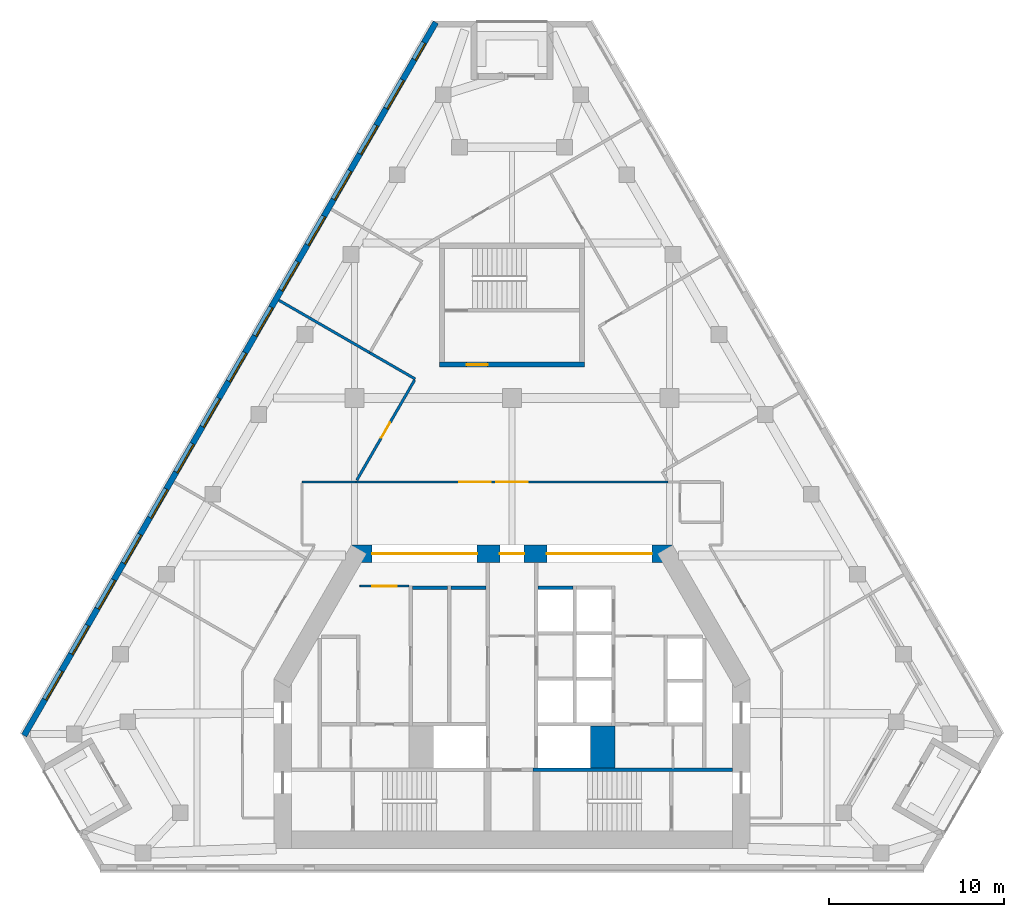
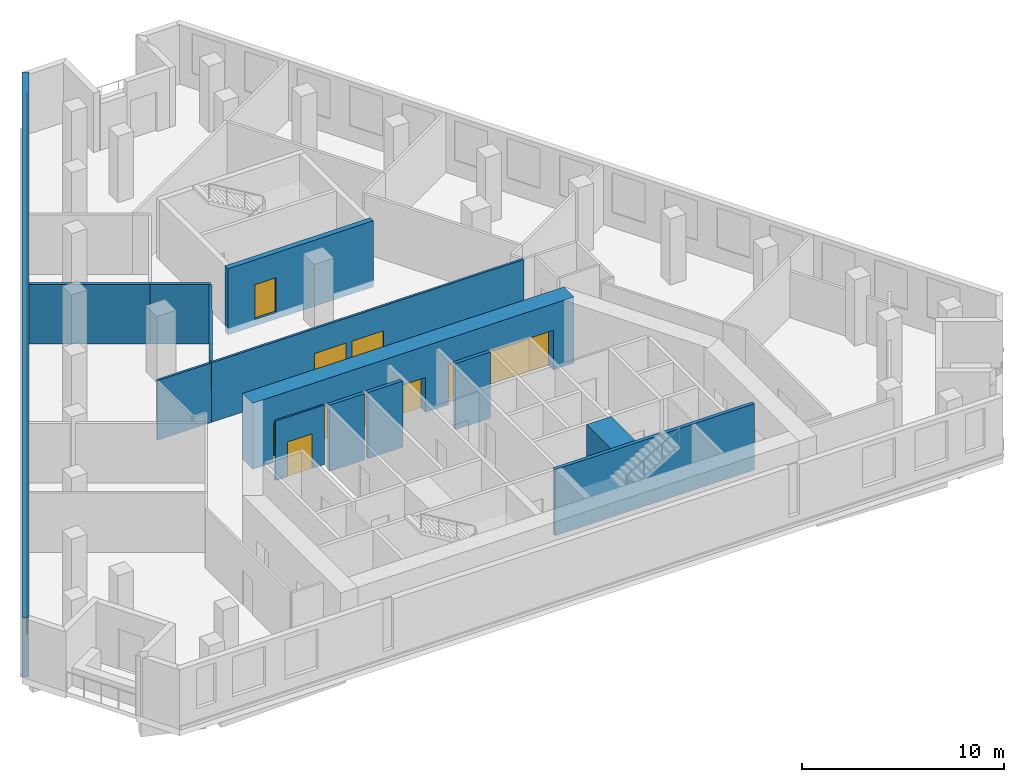
# One storey, part 5 of 9: 15 windows, 14 walls, 8 doors, 23 openings.
"""IFC4 building model written with IfcOpenShell, lengths in metres."""

import ifcopenshell
import ifcopenshell.guid

model = None  # the IFC model being written
_history = None  # IfcOwnerHistory: only IFC2X3 demands one
_inside = {}  # id of a spatial element -> (the spatial element, [elements in it])
_under = {}  # id of a project, library or spatial element -> (it, [spatial elements below it])
_declared = {}  # id of a project -> (the project, [libraries it declares])
_typed = {}  # id of a type object -> (the type object, [elements of that type])
_made_of = {}  # id of a material, layer set ... -> (it, [elements and type objects made of it])


def new_model(schema):
    """Start an empty IFC model of exactly this schema.

    Asked for "IFC4X3", IfcOpenShell would pick the latest addendum, in which some entities
    have other attributes; the version numbers below select the first issue.
    IFC2X3 requires an IfcOwnerHistory on every rooted entity: one is made here for all.
    """
    global model, _history
    if schema == "IFC4X3":
        model = ifcopenshell.file(schema_version=(4, 3, 0, 0))
    else:
        model = ifcopenshell.file(schema=schema)
    _inside.clear()
    _under.clear()
    _declared.clear()
    _typed.clear()
    _made_of.clear()
    _history = None
    if model.schema == "IFC2X3":
        org = make("IfcOrganization", Name="unknown")
        user = make(
            "IfcPersonAndOrganization",
            ThePerson=make("IfcPerson", FamilyName="unknown"),
            TheOrganization=org,
        )
        app = make(
            "IfcApplication",
            ApplicationDeveloper=org,
            Version="unknown",
            ApplicationFullName="unknown",
            ApplicationIdentifier="unknown",
        )
        _history = make(
            "IfcOwnerHistory",
            OwningUser=user,
            OwningApplication=app,
            ChangeAction="ADDED",
            CreationDate=0,
        )
    return model


def make(cls, **values):
    """One entity of the class cls with the attributes given. An attribute that is None is left unset."""
    return model.create_entity(
        cls, **{name: value for name, value in values.items() if value is not None}
    )


def rooted(cls, **values):
    """An entity with a GlobalId (a new one), such as an element, a storey or a relation."""
    return make(cls, GlobalId=ifcopenshell.guid.new(), OwnerHistory=_history, **values)


def si_unit(unit_type, name, prefix=None):
    """IfcSIUnit, for example si_unit("LENGTHUNIT", "METRE", prefix="MILLI")."""
    return make("IfcSIUnit", UnitType=unit_type, Prefix=prefix, Name=name)


def assignment(units):
    """IfcUnitAssignment: the units of a project."""
    return None if units is None else make("IfcUnitAssignment", Units=units)


def point(xyz):
    """IfcCartesianPoint."""
    return None if xyz is None else make("IfcCartesianPoint", Coordinates=xyz)


def direction(xyz):
    """IfcDirection."""
    return None if xyz is None else make("IfcDirection", DirectionRatios=xyz)


def frame(location, z_axis=None, x_axis=None):
    """IfcAxis2Placement3D, a coordinate frame: its origin and axes. An axis left out is left unset."""
    return make(
        "IfcAxis2Placement3D",
        Location=point(location),
        Axis=direction(z_axis),
        RefDirection=direction(x_axis),
    )


def frame_2d(location, x_axis=None):
    """IfcAxis2Placement2D, a coordinate frame in the plane: its origin and x axis."""
    return make(
        "IfcAxis2Placement2D", Location=point(location), RefDirection=direction(x_axis)
    )


def origin():
    """The frame at (0, 0, 0) with its axes left unset."""
    return frame((0.0, 0.0, 0.0))


def place(relative_to, where):
    """IfcLocalPlacement: puts the frame where relative to a parent placement (None: the world)."""
    return make(
        "IfcLocalPlacement", PlacementRelTo=relative_to, RelativePlacement=where
    )


def context(
    kind, dimensions, precision=None, world=None, true_north=None, identifier=None
):
    """IfcGeometricRepresentationContext, for example the 3D "Model" context."""
    return make(
        "IfcGeometricRepresentationContext",
        ContextIdentifier=identifier,
        ContextType=kind,
        CoordinateSpaceDimension=dimensions,
        Precision=precision,
        WorldCoordinateSystem=world,
        TrueNorth=true_north,
    )


def subcontext(parent, identifier, kind, view, scale=None):
    """IfcGeometricRepresentationSubContext, for example "Body" below "Model"."""
    return make(
        "IfcGeometricRepresentationSubContext",
        ContextIdentifier=identifier,
        ContextType=kind,
        ParentContext=parent,
        TargetScale=scale,
        TargetView=view,
    )


def project(units=None, contexts=None):
    """IfcProject with its units and contexts."""
    return rooted(
        "IfcProject",
        Name="project",
        RepresentationContexts=contexts,
        UnitsInContext=assignment(units),
    )


def spatial(cls, under=None, at=None, **own):
    """A site, building, storey or space (cls), placed at a placement, below another one or the project."""
    s = rooted(cls, ObjectPlacement=at, **own)
    if under is not None:
        _under.setdefault(under.id(), (under, []))[1].append(s)
    return s


def profile(cls, at=None, kind="AREA", **sizes):
    """A parametric profile (cls). Its sizes go by their IFC names, for example OverallWidth=200.0."""
    return make(cls, ProfileType=kind, Position=at, **sizes)


def rectangle(**sizes):
    """IfcRectangleProfileDef."""
    return profile("IfcRectangleProfileDef", **sizes)


def extrude(swept, where, along, depth):
    """IfcExtrudedAreaSolid: the profile swept, set in the frame where, extruded along a direction by depth."""
    return make(
        "IfcExtrudedAreaSolid",
        SweptArea=swept,
        Position=where,
        ExtrudedDirection=direction(along),
        Depth=depth,
    )


def shape(context_of_items, identifier, shape_type, items):
    """IfcShapeRepresentation: the items that make up one representation, for example the "Body"."""
    return make(
        "IfcShapeRepresentation",
        ContextOfItems=context_of_items,
        RepresentationIdentifier=identifier,
        RepresentationType=shape_type,
        Items=items,
    )


def material(Name=None, Category=None):
    """IfcMaterial."""
    return make("IfcMaterial", Name=Name, Category=Category)


def layer(
    of_material, thickness, ventilated=None, Name=None, Category=None, Priority=None
):
    """IfcMaterialLayer: one layer of a wall or slab, of a material (None: an air gap)."""
    return make(
        "IfcMaterialLayer",
        Material=of_material,
        LayerThickness=thickness,
        IsVentilated=ventilated,
        Name=Name,
        Category=Category,
        Priority=Priority,
    )


def layer_set(layers, Name=None):
    """IfcMaterialLayerSet."""
    return make("IfcMaterialLayerSet", MaterialLayers=layers, LayerSetName=Name)


def made_of(thing, what):
    """Note that an element or type object is made of a material, layer set ...; save() writes the relation."""
    if what is not None:
        _made_of.setdefault(what.id(), (what, []))[1].append(thing)
    return thing


def type_object(cls, material=None, **own):
    """A type object (cls), such as IfcWallType, which elements share."""
    return made_of(rooted(cls, **own), material)


def element(
    cls,
    number,
    at=None,
    inside=None,
    cuts=None,
    type_object=None,
    material=None,
    context=None,
    identifier="Body",
    shape_type=None,
    held_by="IfcProductDefinitionShape",
    body=None,
    shapes=None,
    **own,
):
    """One element of the class cls, such as IfcWall. Its Tag is "e" and its number.

    at: its placement. inside: the storey or other place that contains it. cuts: it is an
    opening in that element (IfcRelVoidsElement). A single representation is given by context,
    identifier, shape_type and body (its items); several are given by shapes. held_by: the class
    of the entity that holds the representations. save() writes the other relations.
    """
    e = rooted(cls, Tag="e%d" % number, ObjectPlacement=at, **own)
    if body is not None:
        shapes = [shape(context, identifier, shape_type, body)]
    if shapes is not None:
        e.Representation = make(held_by, Representations=shapes)
    if inside is not None:
        _inside.setdefault(inside.id(), (inside, []))[1].append(e)
    if cuts is not None:
        rooted(
            "IfcRelVoidsElement", RelatingBuildingElement=cuts, RelatedOpeningElement=e
        )
    if type_object is not None:
        _typed.setdefault(type_object.id(), (type_object, []))[1].append(e)
    return made_of(e, material)


def fill(opening, filler):
    """IfcRelFillsElement: the door or window that sits in an opening."""
    return rooted(
        "IfcRelFillsElement",
        RelatingOpeningElement=opening,
        RelatedBuildingElement=filler,
    )


def aggregate(whole, parts):
    """IfcRelAggregates: a whole, such as a stair, and the parts it consists of."""
    return rooted("IfcRelAggregates", RelatingObject=whole, RelatedObjects=parts)


def save(model, path):
    """Write the relations noted so far, then the file.

    IfcRelAggregates (storeys below a building ...), IfcRelContainedInSpatialStructure (elements
    in a storey), IfcRelDefinesByType, IfcRelAssociatesMaterial and IfcRelDeclares: one each for
    every whole, place, type object, material and project.
    """
    for whole, parts in _under.values():
        aggregate(whole, parts)
    for where, things in _inside.values():
        rooted(
            "IfcRelContainedInSpatialStructure",
            RelatedElements=things,
            RelatingStructure=where,
        )
    for kind, things in _typed.values():
        rooted("IfcRelDefinesByType", RelatedObjects=things, RelatingType=kind)
    for what, things in _made_of.values():
        rooted("IfcRelAssociatesMaterial", RelatedObjects=things, RelatingMaterial=what)
    for by, libraries in _declared.values():
        rooted("IfcRelDeclares", RelatingContext=by, RelatedDefinitions=libraries)
    model.write(path)


model = new_model("IFC4")

# Units and contexts
model_context = context("Model", 3, precision=1e-05, world=origin(), true_north=direction((0.0, 1.0)))
body_context = subcontext(model_context, "Body", "Model", "MODEL_VIEW")
ifc_project = project(units=[si_unit("LENGTHUNIT", "METRE"), si_unit("AREAUNIT", "SQUARE_METRE"), si_unit("VOLUMEUNIT", "CUBIC_METRE"), si_unit("PLANEANGLEUNIT", "RADIAN"), si_unit("MASSUNIT", "GRAM", prefix="KILO")], contexts=[model_context])

# Site, building, storey
site_placement = place(None, origin())
site = spatial("IfcSite", under=ifc_project, at=site_placement, CompositionType="ELEMENT")
building_placement = place(site_placement, origin())
building = spatial("IfcBuilding", under=site, at=building_placement, Name="Fogline Exchange Tower", CompositionType="ELEMENT")
storey_placement = place(building_placement, frame((0.0, 0.0, 182.10009765625)))
storey = spatial("IfcBuildingStorey", under=building, at=storey_placement, Name="L40", CompositionType="ELEMENT", Elevation=182.10009765625)

# Wall, opening, door
ifc_material_1 = material(Name="Blockwork partition", Category="masonry")
ifc_layer_1 = layer(ifc_material_1, 0.10009765625)
ifc_layer_set_1 = layer_set([ifc_layer_1], Name="CW10")
wall_type_1 = type_object("IfcWallType", Name="CW10", PredefinedType="PARTITIONING", material=ifc_layer_set_1)
wall_1_placement = place(storey_placement, frame((-8.699951171875, 16.25, 0.0), z_axis=(0.0, 0.0, 1.0), x_axis=(1.0, 0.0, 0.0)))
wall_1 = element("IfcWall", 1, at=wall_1_placement, inside=storey, type_object=wall_type_1, Name="Lift lobby partition", PredefinedType="PARTITIONING", context=body_context, shape_type="SweptSolid", body=[
    extrude(rectangle(XDim=2.800048828125, YDim=0.10009765625, at=frame_2d((1.39990234375, 0.0))), origin(), (0.0, 0.0, 1.0), 3.599853515625),
])
opening_1_placement = place(wall_1_placement, frame((0.699951171875, 0.0, 0.0)))
opening_1 = element("IfcOpeningElement", 2, at=opening_1_placement, cuts=wall_1, Name="Opening T13-C006", PredefinedType="OPENING", context=body_context, shape_type="SweptSolid", body=[
    extrude(rectangle(XDim=1.39990234375, YDim=2.10009765625, at=frame_2d((0.699951171875, 1.050048828125))), frame((0.0, 0.06005859375, 0.0), z_axis=(0.0, -1.0, 0.0), x_axis=(1.0, 0.0, 0.0)), (0.0, 0.0, 1.0), 0.1201171875),
])
ifc_material_2 = material(Name="Steel and timber fire door", Category="steel")
door_type_1 = type_object("IfcDoorType", Name="D-LB1", OperationType="DOUBLE_DOOR_SINGLE_SWING", PredefinedType="DOOR", material=ifc_material_2)
door_1_placement = place(opening_1_placement, origin())
door_1 = element("IfcDoor", 3, at=door_1_placement, inside=storey, type_object=door_type_1, Name="Door to lift lobby", OperationType="DOUBLE_DOOR_SINGLE_SWING", OverallHeight=2.10009765625, OverallWidth=1.39990234375, PredefinedType="DOOR", context=body_context, shape_type="SweptSolid", body=[
    extrude(rectangle(XDim=1.39990234375, YDim=2.10009765625, at=frame_2d((0.699951171875, 1.050048828125))), frame((0.0, 0.02490234375, 0.0), z_axis=(0.0, -1.0, 0.0), x_axis=(1.0, 0.0, 0.0)), (0.0, 0.0, 1.0), 0.050048828125),
])
fill(opening_1, door_1)

# Walls
ifc_material_3 = material(Name="Concrete C60", Category="concrete")
ifc_layer_2 = layer(ifc_material_3, 1.39990234375)
ifc_layer_set_2 = layer_set([ifc_layer_2], Name="CW140")
wall_type_2 = type_object("IfcWallType", Name="CW140", PredefinedType="SOLIDWALL", material=ifc_layer_set_2)
wall_2_placement = place(storey_placement, frame((5.199951171875, 5.85009765625, -0.400146484375), z_axis=(0.0, 0.0, 1.0), x_axis=(0.0, 1.0, 0.0)))
element("IfcWall", 4, at=wall_2_placement, inside=storey, type_object=wall_type_2, Name="Lift shaft block wall", PredefinedType="SOLIDWALL", context=body_context, shape_type="SweptSolid", body=[
    extrude(rectangle(XDim=2.39990234375, YDim=1.39990234375, at=frame_2d((1.199951171875, 0.0))), origin(), (0.0, 0.0, 1.0), 4.0),
])
ifc_material_4 = material(Name="Concrete C40", Category="concrete")
ifc_layer_3 = layer(ifc_material_4, 0.199951171875)
ifc_layer_set_3 = layer_set([ifc_layer_3], Name="CW20R")
wall_type_3 = type_object("IfcWallType", Name="CW20R", PredefinedType="SOLIDWALL", material=ifc_layer_set_3)
wall_3_placement = place(storey_placement, frame((1.199951171875, 5.75, -0.400146484375), z_axis=(0.0, 0.0, 1.0), x_axis=(1.0, 0.0, 0.0)))
element("IfcWall", 5, at=wall_3_placement, inside=storey, type_object=wall_type_3, Name="Stair enclosure wall", PredefinedType="SOLIDWALL", context=body_context, shape_type="SweptSolid", body=[
    extrude(rectangle(XDim=11.400146484375, YDim=0.199951171875, at=frame_2d((5.7001953125, 0.0))), origin(), (0.0, 0.0, 1.0), 4.0),
])
ifc_layer_4 = layer(ifc_material_4, 0.199951171875)
ifc_layer_set_4 = layer_set([ifc_layer_4], Name="CW20S")
wall_type_4 = type_object("IfcWallType", Name="CW20S", PredefinedType="SOLIDWALL", material=ifc_layer_set_4)
for number, where, z_axis, x_axis, name in (
    (6, (-5.699951171875, 16.14990234375, -0.400146484375), (0.0, 0.0, 1.0), (1.0, 0.0, 0.0), "Lift shaft wall"),
    (7, (-3.5, 16.14990234375, -0.400146484375), (0.0, 0.0, 1.0), (1.0, 0.0, 0.0), "Lift shaft wall"),
    (8, (1.5, 16.14990234375, -0.400146484375), (0.0, 0.0, 1.0), (1.0, 0.0, 0.0), "Lift shaft wall"),
):
    element("IfcWall", number, at=place(storey_placement, frame(where, z_axis=z_axis, x_axis=x_axis)), inside=storey, type_object=wall_type_4, Name=name, PredefinedType="SOLIDWALL", context=body_context, shape_type="SweptSolid", body=[
        extrude(rectangle(XDim=2.0, YDim=0.199951171875, at=frame_2d((1.0, 0.0))), origin(), (0.0, 0.0, 1.0), 4.0),
    ])

# Wall, opening, door
ifc_layer_5 = layer(ifc_material_4, 0.300048828125)
ifc_layer_set_5 = layer_set([ifc_layer_5], Name="CW30")
wall_type_5 = type_object("IfcWallType", Name="CW30", PredefinedType="SOLIDWALL", material=ifc_layer_set_5)
wall_4_placement = place(storey_placement, frame((-4.14990234375, 28.906982421875, -0.400146484375), z_axis=(0.0, 0.0, 1.0), x_axis=(1.0, 0.0, 0.0)))
wall_4 = element("IfcWall", 9, at=wall_4_placement, inside=storey, type_object=wall_type_5, Name="Stair enclosure wall ST3", PredefinedType="SOLIDWALL", context=body_context, shape_type="SweptSolid", body=[
    extrude(rectangle(XDim=8.2998046875, YDim=0.300048828125, at=frame_2d((4.14990234375, 0.0))), origin(), (0.0, 0.0, 1.0), 4.0),
])
opening_2_placement = place(wall_4_placement, frame((1.550048828125, 0.0, 0.39990234375)))
opening_2 = element("IfcOpeningElement", 10, at=opening_2_placement, cuts=wall_4, Name="Opening T13-C022", PredefinedType="OPENING", context=body_context, shape_type="SweptSolid", body=[
    extrude(rectangle(XDim=1.199951171875, YDim=2.10009765625, at=frame_2d((0.60009765625, 1.050048828125))), frame((0.0, 0.16015625, 0.0), z_axis=(0.0, -1.0, 0.0), x_axis=(1.0, 0.0, 0.0)), (0.0, 0.0, 1.0), 0.320068359375),
])
door_type_2 = type_object("IfcDoorType", Name="D-FR1", OperationType="SINGLE_SWING_RIGHT", PredefinedType="DOOR", material=ifc_material_2)
door_2_placement = place(opening_2_placement, origin())
door_2 = element("IfcDoor", 11, at=door_2_placement, inside=storey, type_object=door_type_2, Name="Front room door ST3", OperationType="SINGLE_SWING_LEFT", OverallHeight=2.10009765625, OverallWidth=1.199951171875, PredefinedType="DOOR", context=body_context, shape_type="SweptSolid", body=[
    extrude(rectangle(XDim=1.199951171875, YDim=2.10009765625, at=frame_2d((0.60009765625, 1.050048828125))), frame((0.0, 0.02490234375, 0.0), z_axis=(0.0, -1.0, 0.0), x_axis=(1.0, 0.0, 0.0)), (0.0, 0.0, 1.0), 0.050048828125),
])
fill(opening_2, door_2)

# Wall, openings, windows
ifc_material_5 = material(Name="Brick masonry", Category="masonry")
ifc_layer_6 = layer(ifc_material_5, 0.340087890625)
ifc_layer_set_6 = layer_set([ifc_layer_6], Name="FW1")
wall_type_6 = type_object("IfcWallType", Name="FW1", PredefinedType="SOLIDWALL", material=ifc_layer_set_6)
wall_5_placement = place(storey_placement, frame((-4.352783203125, 48.466552734375, 0.0), z_axis=(0.0, 0.0, 1.0), x_axis=(-0.499999966388, -0.86602542319, 0.0)))
wall_5 = element("IfcWall", 12, at=wall_5_placement, inside=storey, type_object=wall_type_6, Name="Brick wall L40 W", PredefinedType="SOLIDWALL", context=body_context, shape_type="SweptSolid", body=[
    extrude(rectangle(XDim=47.0625, YDim=0.340087890625, at=frame_2d((23.53125, 0.0))), origin(), (0.0, 0.0, 1.0), 3.599853515625),
])
opening_3_placement = place(wall_5_placement, frame((3.796875, 0.0, 0.89990234375)))
opening_3 = element("IfcOpeningElement", 13, at=opening_3_placement, cuts=wall_5, Name="Opening W1", PredefinedType="OPENING", context=body_context, shape_type="SweptSolid", body=[
    extrude(rectangle(XDim=1.885009765625, YDim=2.39990234375, at=frame_2d((0.9423828125, 1.199951171875))), frame((0.0, 0.18017578125, 0.0), z_axis=(0.0, -1.0, 0.0), x_axis=(1.0, 0.0, 0.0)), (0.0, 0.0, 1.0), 0.360107421875),
])
opening_4_placement = place(wall_5_placement, frame((6.796875, 0.0, 0.89990234375)))
opening_4 = element("IfcOpeningElement", 14, at=opening_4_placement, cuts=wall_5, Name="Opening W1", PredefinedType="OPENING", context=body_context, shape_type="SweptSolid", body=[
    extrude(rectangle(XDim=1.885009765625, YDim=2.39990234375, at=frame_2d((0.9423828125, 1.199951171875))), frame((0.0, 0.18017578125, 0.0), z_axis=(0.0, -1.0, 0.0), x_axis=(1.0, 0.0, 0.0)), (0.0, 0.0, 1.0), 0.360107421875),
])
opening_5_placement = place(wall_5_placement, frame((9.796875, 0.0, 0.89990234375)))
opening_5 = element("IfcOpeningElement", 15, at=opening_5_placement, cuts=wall_5, Name="Opening W1", PredefinedType="OPENING", context=body_context, shape_type="SweptSolid", body=[
    extrude(rectangle(XDim=1.885009765625, YDim=2.39990234375, at=frame_2d((0.9423828125, 1.199951171875))), frame((0.0, 0.18017578125, 0.0), z_axis=(0.0, -1.0, 0.0), x_axis=(1.0, 0.0, 0.0)), (0.0, 0.0, 1.0), 0.360107421875),
])
opening_6_placement = place(wall_5_placement, frame((12.796875, 0.0, 0.89990234375)))
opening_6 = element("IfcOpeningElement", 16, at=opening_6_placement, cuts=wall_5, Name="Opening W1", PredefinedType="OPENING", context=body_context, shape_type="SweptSolid", body=[
    extrude(rectangle(XDim=1.885009765625, YDim=2.39990234375, at=frame_2d((0.9423828125, 1.199951171875))), frame((0.0, 0.18017578125, 0.0), z_axis=(0.0, -1.0, 0.0), x_axis=(1.0, 0.0, 0.0)), (0.0, 0.0, 1.0), 0.360107421875),
])
opening_7_placement = place(wall_5_placement, frame((15.796875, 0.0, 0.89990234375)))
opening_7 = element("IfcOpeningElement", 17, at=opening_7_placement, cuts=wall_5, Name="Opening W1", PredefinedType="OPENING", context=body_context, shape_type="SweptSolid", body=[
    extrude(rectangle(XDim=1.885009765625, YDim=2.39990234375, at=frame_2d((0.9423828125, 1.199951171875))), frame((0.0, 0.18017578125, 0.0), z_axis=(0.0, -1.0, 0.0), x_axis=(1.0, 0.0, 0.0)), (0.0, 0.0, 1.0), 0.360107421875),
])
opening_8_placement = place(wall_5_placement, frame((18.796875, 0.0, 0.89990234375)))
opening_8 = element("IfcOpeningElement", 18, at=opening_8_placement, cuts=wall_5, Name="Opening W1", PredefinedType="OPENING", context=body_context, shape_type="SweptSolid", body=[
    extrude(rectangle(XDim=1.885009765625, YDim=2.39990234375, at=frame_2d((0.9423828125, 1.199951171875))), frame((0.0, 0.18017578125, 0.0), z_axis=(0.0, -1.0, 0.0), x_axis=(1.0, 0.0, 0.0)), (0.0, 0.0, 1.0), 0.360107421875),
])
opening_9_placement = place(wall_5_placement, frame((21.796875, 0.0, 0.89990234375)))
opening_9 = element("IfcOpeningElement", 19, at=opening_9_placement, cuts=wall_5, Name="Opening W1", PredefinedType="OPENING", context=body_context, shape_type="SweptSolid", body=[
    extrude(rectangle(XDim=1.885009765625, YDim=2.39990234375, at=frame_2d((0.9423828125, 1.199951171875))), frame((0.0, 0.18017578125, 0.0), z_axis=(0.0, -1.0, 0.0), x_axis=(1.0, 0.0, 0.0)), (0.0, 0.0, 1.0), 0.360107421875),
])
opening_10_placement = place(wall_5_placement, frame((24.796875, 0.0, 0.89990234375)))
opening_10 = element("IfcOpeningElement", 20, at=opening_10_placement, cuts=wall_5, Name="Opening W1", PredefinedType="OPENING", context=body_context, shape_type="SweptSolid", body=[
    extrude(rectangle(XDim=1.885009765625, YDim=2.39990234375, at=frame_2d((0.9423828125, 1.199951171875))), frame((0.0, 0.18017578125, 0.0), z_axis=(0.0, -1.0, 0.0), x_axis=(1.0, 0.0, 0.0)), (0.0, 0.0, 1.0), 0.360107421875),
])
opening_11_placement = place(wall_5_placement, frame((27.796875, 0.0, 0.89990234375)))
opening_11 = element("IfcOpeningElement", 21, at=opening_11_placement, cuts=wall_5, Name="Opening W1", PredefinedType="OPENING", context=body_context, shape_type="SweptSolid", body=[
    extrude(rectangle(XDim=1.885009765625, YDim=2.39990234375, at=frame_2d((0.9423828125, 1.199951171875))), frame((0.0, 0.18017578125, 0.0), z_axis=(0.0, -1.0, 0.0), x_axis=(1.0, 0.0, 0.0)), (0.0, 0.0, 1.0), 0.360107421875),
])
opening_12_placement = place(wall_5_placement, frame((30.796875, 0.0, 0.89990234375)))
opening_12 = element("IfcOpeningElement", 22, at=opening_12_placement, cuts=wall_5, Name="Opening W1", PredefinedType="OPENING", context=body_context, shape_type="SweptSolid", body=[
    extrude(rectangle(XDim=1.885009765625, YDim=2.39990234375, at=frame_2d((0.9423828125, 1.199951171875))), frame((0.0, 0.18017578125, 0.0), z_axis=(0.0, -1.0, 0.0), x_axis=(1.0, 0.0, 0.0)), (0.0, 0.0, 1.0), 0.360107421875),
])
opening_13_placement = place(wall_5_placement, frame((33.796875, 0.0, 0.89990234375)))
opening_13 = element("IfcOpeningElement", 23, at=opening_13_placement, cuts=wall_5, Name="Opening W1", PredefinedType="OPENING", context=body_context, shape_type="SweptSolid", body=[
    extrude(rectangle(XDim=1.885009765625, YDim=2.39990234375, at=frame_2d((0.9423828125, 1.199951171875))), frame((0.0, 0.18017578125, 0.0), z_axis=(0.0, -1.0, 0.0), x_axis=(1.0, 0.0, 0.0)), (0.0, 0.0, 1.0), 0.360107421875),
])
opening_14_placement = place(wall_5_placement, frame((36.796875, 0.0, 0.89990234375)))
opening_14 = element("IfcOpeningElement", 24, at=opening_14_placement, cuts=wall_5, Name="Opening W1", PredefinedType="OPENING", context=body_context, shape_type="SweptSolid", body=[
    extrude(rectangle(XDim=1.885009765625, YDim=2.39990234375, at=frame_2d((0.9423828125, 1.199951171875))), frame((0.0, 0.18017578125, 0.0), z_axis=(0.0, -1.0, 0.0), x_axis=(1.0, 0.0, 0.0)), (0.0, 0.0, 1.0), 0.360107421875),
])
opening_15_placement = place(wall_5_placement, frame((39.796875, 0.0, 0.89990234375)))
opening_15 = element("IfcOpeningElement", 25, at=opening_15_placement, cuts=wall_5, Name="Opening W1", PredefinedType="OPENING", context=body_context, shape_type="SweptSolid", body=[
    extrude(rectangle(XDim=1.885009765625, YDim=2.39990234375, at=frame_2d((0.9423828125, 1.199951171875))), frame((0.0, 0.18017578125, 0.0), z_axis=(0.0, -1.0, 0.0), x_axis=(1.0, 0.0, 0.0)), (0.0, 0.0, 1.0), 0.360107421875),
])
opening_16_placement = place(wall_5_placement, frame((42.796875, 0.0, 0.89990234375)))
opening_16 = element("IfcOpeningElement", 26, at=opening_16_placement, cuts=wall_5, Name="Opening W1", PredefinedType="OPENING", context=body_context, shape_type="SweptSolid", body=[
    extrude(rectangle(XDim=1.885009765625, YDim=2.39990234375, at=frame_2d((0.9423828125, 1.199951171875))), frame((0.0, 0.18017578125, 0.0), z_axis=(0.0, -1.0, 0.0), x_axis=(1.0, 0.0, 0.0)), (0.0, 0.0, 1.0), 0.360107421875),
])
opening_17_placement = place(wall_5_placement, frame((1.341064453125, 0.0, 0.89990234375)))
opening_17 = element("IfcOpeningElement", 27, at=opening_17_placement, cuts=wall_5, Name="Opening W4", PredefinedType="OPENING", context=body_context, shape_type="SweptSolid", body=[
    extrude(rectangle(XDim=1.114990234375, YDim=2.39990234375, at=frame_2d((0.5576171875, 1.199951171875))), frame((0.0, 0.18017578125, 0.0), z_axis=(0.0, -1.0, 0.0), x_axis=(1.0, 0.0, 0.0)), (0.0, 0.0, 1.0), 0.360107421875),
])
ifc_material_6 = material(Name="Aluminium and glass", Category="aluminium")
window_type_1 = type_object("IfcWindowType", Name="W1", PartitioningType="SINGLE_PANEL", PredefinedType="WINDOW", material=ifc_material_6)
window_1_placement = place(opening_3_placement, origin())
window_1 = element("IfcWindow", 28, at=window_1_placement, inside=storey, type_object=window_type_1, Name="W1 W1", OverallHeight=2.39990234375, OverallWidth=1.885009765625, PartitioningType="SINGLE_PANEL", PredefinedType="WINDOW", context=body_context, shape_type="SweptSolid", body=[
    extrude(rectangle(XDim=1.885009765625, YDim=2.39990234375, at=frame_2d((0.9423828125, 1.199951171875))), frame((0.0, 0.110107421875, 0.0), z_axis=(0.0, -1.0, 0.0), x_axis=(1.0, 0.0, 0.0)), (0.0, 0.0, 1.0), 0.06005859375),
])
fill(opening_3, window_1)
window_2_placement = place(opening_4_placement, origin())
window_2 = element("IfcWindow", 29, at=window_2_placement, inside=storey, type_object=window_type_1, Name="W1 W1", OverallHeight=2.39990234375, OverallWidth=1.885009765625, PartitioningType="SINGLE_PANEL", PredefinedType="WINDOW", context=body_context, shape_type="SweptSolid", body=[
    extrude(rectangle(XDim=1.885009765625, YDim=2.39990234375, at=frame_2d((0.9423828125, 1.199951171875))), frame((0.0, 0.110107421875, 0.0), z_axis=(0.0, -1.0, 0.0), x_axis=(1.0, 0.0, 0.0)), (0.0, 0.0, 1.0), 0.06005859375),
])
fill(opening_4, window_2)
window_3_placement = place(opening_5_placement, origin())
window_3 = element("IfcWindow", 30, at=window_3_placement, inside=storey, type_object=window_type_1, Name="W1 W1", OverallHeight=2.39990234375, OverallWidth=1.885009765625, PartitioningType="SINGLE_PANEL", PredefinedType="WINDOW", context=body_context, shape_type="SweptSolid", body=[
    extrude(rectangle(XDim=1.885009765625, YDim=2.39990234375, at=frame_2d((0.9423828125, 1.199951171875))), frame((0.0, 0.110107421875, 0.0), z_axis=(0.0, -1.0, 0.0), x_axis=(1.0, 0.0, 0.0)), (0.0, 0.0, 1.0), 0.06005859375),
])
fill(opening_5, window_3)
window_4_placement = place(opening_6_placement, origin())
window_4 = element("IfcWindow", 31, at=window_4_placement, inside=storey, type_object=window_type_1, Name="W1 W1", OverallHeight=2.39990234375, OverallWidth=1.885009765625, PartitioningType="SINGLE_PANEL", PredefinedType="WINDOW", context=body_context, shape_type="SweptSolid", body=[
    extrude(rectangle(XDim=1.885009765625, YDim=2.39990234375, at=frame_2d((0.9423828125, 1.199951171875))), frame((0.0, 0.110107421875, 0.0), z_axis=(0.0, -1.0, 0.0), x_axis=(1.0, 0.0, 0.0)), (0.0, 0.0, 1.0), 0.06005859375),
])
fill(opening_6, window_4)
window_5_placement = place(opening_7_placement, origin())
window_5 = element("IfcWindow", 32, at=window_5_placement, inside=storey, type_object=window_type_1, Name="W1 W1", OverallHeight=2.39990234375, OverallWidth=1.885009765625, PartitioningType="SINGLE_PANEL", PredefinedType="WINDOW", context=body_context, shape_type="SweptSolid", body=[
    extrude(rectangle(XDim=1.885009765625, YDim=2.39990234375, at=frame_2d((0.9423828125, 1.199951171875))), frame((0.0, 0.110107421875, 0.0), z_axis=(0.0, -1.0, 0.0), x_axis=(1.0, 0.0, 0.0)), (0.0, 0.0, 1.0), 0.06005859375),
])
fill(opening_7, window_5)
window_6_placement = place(opening_8_placement, origin())
window_6 = element("IfcWindow", 33, at=window_6_placement, inside=storey, type_object=window_type_1, Name="W1 W1", OverallHeight=2.39990234375, OverallWidth=1.885009765625, PartitioningType="SINGLE_PANEL", PredefinedType="WINDOW", context=body_context, shape_type="SweptSolid", body=[
    extrude(rectangle(XDim=1.885009765625, YDim=2.39990234375, at=frame_2d((0.9423828125, 1.199951171875))), frame((0.0, 0.110107421875, 0.0), z_axis=(0.0, -1.0, 0.0), x_axis=(1.0, 0.0, 0.0)), (0.0, 0.0, 1.0), 0.06005859375),
])
fill(opening_8, window_6)
window_7_placement = place(opening_9_placement, origin())
window_7 = element("IfcWindow", 34, at=window_7_placement, inside=storey, type_object=window_type_1, Name="W1 W1", OverallHeight=2.39990234375, OverallWidth=1.885009765625, PartitioningType="SINGLE_PANEL", PredefinedType="WINDOW", context=body_context, shape_type="SweptSolid", body=[
    extrude(rectangle(XDim=1.885009765625, YDim=2.39990234375, at=frame_2d((0.9423828125, 1.199951171875))), frame((0.0, 0.110107421875, 0.0), z_axis=(0.0, -1.0, 0.0), x_axis=(1.0, 0.0, 0.0)), (0.0, 0.0, 1.0), 0.06005859375),
])
fill(opening_9, window_7)
window_8_placement = place(opening_10_placement, origin())
window_8 = element("IfcWindow", 35, at=window_8_placement, inside=storey, type_object=window_type_1, Name="W1 W1", OverallHeight=2.39990234375, OverallWidth=1.885009765625, PartitioningType="SINGLE_PANEL", PredefinedType="WINDOW", context=body_context, shape_type="SweptSolid", body=[
    extrude(rectangle(XDim=1.885009765625, YDim=2.39990234375, at=frame_2d((0.9423828125, 1.199951171875))), frame((0.0, 0.110107421875, 0.0), z_axis=(0.0, -1.0, 0.0), x_axis=(1.0, 0.0, 0.0)), (0.0, 0.0, 1.0), 0.06005859375),
])
fill(opening_10, window_8)
window_9_placement = place(opening_11_placement, origin())
window_9 = element("IfcWindow", 36, at=window_9_placement, inside=storey, type_object=window_type_1, Name="W1 W1", OverallHeight=2.39990234375, OverallWidth=1.885009765625, PartitioningType="SINGLE_PANEL", PredefinedType="WINDOW", context=body_context, shape_type="SweptSolid", body=[
    extrude(rectangle(XDim=1.885009765625, YDim=2.39990234375, at=frame_2d((0.9423828125, 1.199951171875))), frame((0.0, 0.110107421875, 0.0), z_axis=(0.0, -1.0, 0.0), x_axis=(1.0, 0.0, 0.0)), (0.0, 0.0, 1.0), 0.06005859375),
])
fill(opening_11, window_9)
window_10_placement = place(opening_12_placement, origin())
window_10 = element("IfcWindow", 37, at=window_10_placement, inside=storey, type_object=window_type_1, Name="W1 W1", OverallHeight=2.39990234375, OverallWidth=1.885009765625, PartitioningType="SINGLE_PANEL", PredefinedType="WINDOW", context=body_context, shape_type="SweptSolid", body=[
    extrude(rectangle(XDim=1.885009765625, YDim=2.39990234375, at=frame_2d((0.9423828125, 1.199951171875))), frame((0.0, 0.110107421875, 0.0), z_axis=(0.0, -1.0, 0.0), x_axis=(1.0, 0.0, 0.0)), (0.0, 0.0, 1.0), 0.06005859375),
])
fill(opening_12, window_10)
window_11_placement = place(opening_13_placement, origin())
window_11 = element("IfcWindow", 38, at=window_11_placement, inside=storey, type_object=window_type_1, Name="W1 W1", OverallHeight=2.39990234375, OverallWidth=1.885009765625, PartitioningType="SINGLE_PANEL", PredefinedType="WINDOW", context=body_context, shape_type="SweptSolid", body=[
    extrude(rectangle(XDim=1.885009765625, YDim=2.39990234375, at=frame_2d((0.9423828125, 1.199951171875))), frame((0.0, 0.110107421875, 0.0), z_axis=(0.0, -1.0, 0.0), x_axis=(1.0, 0.0, 0.0)), (0.0, 0.0, 1.0), 0.06005859375),
])
fill(opening_13, window_11)
window_12_placement = place(opening_14_placement, origin())
window_12 = element("IfcWindow", 39, at=window_12_placement, inside=storey, type_object=window_type_1, Name="W1 W1", OverallHeight=2.39990234375, OverallWidth=1.885009765625, PartitioningType="SINGLE_PANEL", PredefinedType="WINDOW", context=body_context, shape_type="SweptSolid", body=[
    extrude(rectangle(XDim=1.885009765625, YDim=2.39990234375, at=frame_2d((0.9423828125, 1.199951171875))), frame((0.0, 0.110107421875, 0.0), z_axis=(0.0, -1.0, 0.0), x_axis=(1.0, 0.0, 0.0)), (0.0, 0.0, 1.0), 0.06005859375),
])
fill(opening_14, window_12)
window_13_placement = place(opening_15_placement, origin())
window_13 = element("IfcWindow", 40, at=window_13_placement, inside=storey, type_object=window_type_1, Name="W1 W1", OverallHeight=2.39990234375, OverallWidth=1.885009765625, PartitioningType="SINGLE_PANEL", PredefinedType="WINDOW", context=body_context, shape_type="SweptSolid", body=[
    extrude(rectangle(XDim=1.885009765625, YDim=2.39990234375, at=frame_2d((0.9423828125, 1.199951171875))), frame((0.0, 0.110107421875, 0.0), z_axis=(0.0, -1.0, 0.0), x_axis=(1.0, 0.0, 0.0)), (0.0, 0.0, 1.0), 0.06005859375),
])
fill(opening_15, window_13)
window_14_placement = place(opening_16_placement, origin())
window_14 = element("IfcWindow", 41, at=window_14_placement, inside=storey, type_object=window_type_1, Name="W1 W1", OverallHeight=2.39990234375, OverallWidth=1.885009765625, PartitioningType="SINGLE_PANEL", PredefinedType="WINDOW", context=body_context, shape_type="SweptSolid", body=[
    extrude(rectangle(XDim=1.885009765625, YDim=2.39990234375, at=frame_2d((0.9423828125, 1.199951171875))), frame((0.0, 0.110107421875, 0.0), z_axis=(0.0, -1.0, 0.0), x_axis=(1.0, 0.0, 0.0)), (0.0, 0.0, 1.0), 0.06005859375),
])
fill(opening_16, window_14)
window_type_2 = type_object("IfcWindowType", Name="W4", PartitioningType="SINGLE_PANEL", PredefinedType="WINDOW", material=ifc_material_6)
window_15_placement = place(opening_17_placement, origin())
window_15 = element("IfcWindow", 42, at=window_15_placement, inside=storey, type_object=window_type_2, Name="W4 W4", OverallHeight=2.39990234375, OverallWidth=1.114990234375, PartitioningType="SINGLE_PANEL", PredefinedType="WINDOW", context=body_context, shape_type="SweptSolid", body=[
    extrude(rectangle(XDim=1.114990234375, YDim=2.39990234375, at=frame_2d((0.5576171875, 1.199951171875))), frame((0.0, 0.110107421875, 0.0), z_axis=(0.0, -1.0, 0.0), x_axis=(1.0, 0.0, 0.0)), (0.0, 0.0, 1.0), 0.06005859375),
])
fill(opening_17, window_15)

# Wall, openings, doors
ifc_material_7 = material(Name="Plasterboard corridor partition with mineral wool, 2 layers each side")
ifc_layer_7 = layer(ifc_material_7, 0.125)
ifc_layer_set_7 = layer_set([ifc_layer_7], Name="PW2")
wall_type_7 = type_object("IfcWallType", Name="PW2", PredefinedType="PARTITIONING", material=ifc_layer_set_7)
wall_6_placement = place(storey_placement, frame((-8.92919921875, 22.199951171875, 0.0), z_axis=(0.0, 0.0, 1.0), x_axis=(1.0, 0.0, 0.0)))
wall_6 = element("IfcWall", 43, at=wall_6_placement, inside=storey, type_object=wall_type_7, Name="wall-L40-W010", PredefinedType="PARTITIONING", context=body_context, shape_type="SweptSolid", body=[
    extrude(rectangle(XDim=17.8583984375, YDim=0.125, at=frame_2d((8.92919921875, 0.0))), origin(), (0.0, 0.0, 1.0), 3.599853515625),
])
opening_18_placement = place(wall_6_placement, frame((5.90771484375, 0.0, 0.0)))
opening_18 = element("IfcOpeningElement", 44, at=opening_18_placement, cuts=wall_6, Name="Opening T13-D004", PredefinedType="OPENING", context=body_context, shape_type="SweptSolid", body=[
    extrude(rectangle(XDim=1.800048828125, YDim=2.10009765625, at=frame_2d((0.89990234375, 1.050048828125))), frame((0.0, 0.072509765625, 0.0), z_axis=(0.0, -1.0, 0.0), x_axis=(1.0, 0.0, 0.0)), (0.0, 0.0, 1.0), 0.14501953125),
])
opening_19_placement = place(wall_6_placement, frame((8.029296875, 0.0, 0.0)))
opening_19 = element("IfcOpeningElement", 45, at=opening_19_placement, cuts=wall_6, Name="Opening T13-D005", PredefinedType="OPENING", context=body_context, shape_type="SweptSolid", body=[
    extrude(rectangle(XDim=1.800048828125, YDim=2.10009765625, at=frame_2d((0.89990234375, 1.050048828125))), frame((0.0, 0.072509765625, 0.0), z_axis=(0.0, -1.0, 0.0), x_axis=(1.0, 0.0, 0.0)), (0.0, 0.0, 1.0), 0.14501953125),
])
ifc_material_8 = material(Name="Fire-rated timber door leaves with steel frame", Category="steel")
door_type_3 = type_object("IfcDoorType", Name="D4", OperationType="DOUBLE_DOOR_SINGLE_SWING", PredefinedType="DOOR", material=ifc_material_8)
door_3_placement = place(opening_18_placement, frame((1.800048828125, 0.0, 0.0), z_axis=(0.0, 0.0, 1.0), x_axis=(-1.0, 0.0, 0.0)))
door_3 = element("IfcDoor", 46, at=door_3_placement, inside=storey, type_object=door_type_3, Name="door-L40-D004", OperationType="DOUBLE_DOOR_SINGLE_SWING", OverallHeight=2.10009765625, OverallWidth=1.800048828125, PredefinedType="DOOR", context=body_context, shape_type="SweptSolid", body=[
    extrude(rectangle(XDim=1.800048828125, YDim=2.10009765625, at=frame_2d((0.89990234375, 1.050048828125))), frame((0.0, 0.02490234375, 0.0), z_axis=(0.0, -1.0, 0.0), x_axis=(1.0, 0.0, 0.0)), (0.0, 0.0, 1.0), 0.050048828125),
])
fill(opening_18, door_3)
door_4_placement = place(opening_19_placement, frame((1.800048828125, 0.0, 0.0), z_axis=(0.0, 0.0, 1.0), x_axis=(-1.0, 0.0, 0.0)))
door_4 = element("IfcDoor", 47, at=door_4_placement, inside=storey, type_object=door_type_3, Name="door-L40-D005", OperationType="DOUBLE_DOOR_SINGLE_SWING", OverallHeight=2.10009765625, OverallWidth=1.800048828125, PredefinedType="DOOR", context=body_context, shape_type="SweptSolid", body=[
    extrude(rectangle(XDim=1.800048828125, YDim=2.10009765625, at=frame_2d((0.89990234375, 1.050048828125))), frame((0.0, 0.02490234375, 0.0), z_axis=(0.0, -1.0, 0.0), x_axis=(1.0, 0.0, 0.0)), (0.0, 0.0, 1.0), 0.050048828125),
])
fill(opening_19, door_4)

# Wall
wall_7_placement = place(storey_placement, frame((-12.0, 22.199951171875, 0.0), z_axis=(0.0, 0.0, 1.0), x_axis=(1.0, 0.0, 0.0)))
element("IfcWall", 48, at=wall_7_placement, inside=storey, type_object=wall_type_7, Name="wall-L40-W013", PredefinedType="PARTITIONING", context=body_context, shape_type="SweptSolid", body=[
    extrude(rectangle(XDim=3.07080078125, YDim=0.125, at=frame_2d((1.535400390625, 0.0))), origin(), (0.0, 0.0, 1.0), 3.599853515625),
])

# Wall, opening, door
ifc_material_9 = material(Name="Plasterboard demising partition with mineral wool and acoustic board")
ifc_layer_8 = layer(ifc_material_9, 0.14990234375)
ifc_layer_set_8 = layer_set([ifc_layer_8], Name="PW3")
wall_type_8 = type_object("IfcWallType", Name="PW3", PredefinedType="PARTITIONING", material=ifc_layer_set_8)
wall_8_placement = place(storey_placement, frame((-8.87109375, 22.30029296875, 0.0), z_axis=(0.0, 0.0, 1.0), x_axis=(0.499975212895, 0.866039714153, 0.0)))
wall_8 = element("IfcWall", 49, at=wall_8_placement, inside=storey, type_object=wall_type_8, Name="wall-L40-W035", PredefinedType="PARTITIONING", context=body_context, shape_type="SweptSolid", body=[
    extrude(rectangle(XDim=6.605224609375, YDim=0.14990234375, at=frame_2d((3.302734375, 0.0))), origin(), (0.0, 0.0, 1.0), 3.599853515625),
])
opening_20_placement = place(wall_8_placement, frame((2.802734375, 0.0, 0.0)))
opening_20 = element("IfcOpeningElement", 50, at=opening_20_placement, cuts=wall_8, Name="Opening T13-D012", PredefinedType="OPENING", context=body_context, shape_type="SweptSolid", body=[
    extrude(rectangle(XDim=1.0, YDim=2.10009765625, at=frame_2d((0.5, 1.050048828125))), frame((0.0, 0.0849609375, 0.0), z_axis=(0.0, -1.0, 0.0), x_axis=(1.0, 0.0, 0.0)), (0.0, 0.0, 1.0), 0.169921875),
])
ifc_material_10 = material(Name="Fire-rated timber door leaf with steel frame", Category="steel")
door_type_4 = type_object("IfcDoorType", Name="D3", OperationType="SINGLE_SWING_LEFT", PredefinedType="DOOR", material=ifc_material_10)
door_5_placement = place(opening_20_placement, origin())
door_5 = element("IfcDoor", 51, at=door_5_placement, inside=storey, type_object=door_type_4, Name="door-L40-D012", OperationType="SINGLE_SWING_RIGHT", OverallHeight=2.10009765625, OverallWidth=1.0, PredefinedType="DOOR", context=body_context, shape_type="SweptSolid", body=[
    extrude(rectangle(XDim=1.0, YDim=2.10009765625, at=frame_2d((0.5, 1.050048828125))), frame((0.0, 0.02490234375, 0.0), z_axis=(0.0, -1.0, 0.0), x_axis=(1.0, 0.0, 0.0)), (0.0, 0.0, 1.0), 0.050048828125),
])
fill(opening_20, door_5)

# Walls
wall_9_placement = place(storey_placement, frame((-5.531005859375, 28.085693359375, 0.0), z_axis=(0.0, 0.0, 1.0), x_axis=(-0.866031096941, 0.499990139034, 0.0)))
element("IfcWall", 52, at=wall_9_placement, inside=storey, type_object=wall_type_8, Name="wall-L40-W036", PredefinedType="PARTITIONING", context=body_context, shape_type="SweptSolid", body=[
    extrude(rectangle(XDim=3.0, YDim=0.14990234375, at=frame_2d((1.5, 0.0))), origin(), (0.0, 0.0, 1.0), 3.599853515625),
])
wall_10_placement = place(storey_placement, frame((-8.129150390625, 29.585693359375, 0.0), z_axis=(0.0, 0.0, 1.0), x_axis=(-0.866020924479, 0.500007758305, 0.0)))
element("IfcWall", 53, at=wall_10_placement, inside=storey, type_object=wall_type_8, Name="wall-L40-W038", PredefinedType="PARTITIONING", context=body_context, shape_type="SweptSolid", body=[
    extrude(rectangle(XDim=6.0, YDim=0.14990234375, at=frame_2d((3.0, 0.0))), origin(), (0.0, 0.0, 1.0), 3.599853515625),
])

# Wall, openings, doors
ifc_layer_9 = layer(ifc_material_3, 1.0)
ifc_layer_set_9 = layer_set([ifc_layer_9], Name="SW03")
wall_type_9 = type_object("IfcWallType", Name="SW03", PredefinedType="SHEAR", material=ifc_layer_set_9)
wall_11_placement = place(storey_placement, frame((9.1806640625, 18.10009765625, 0.0), z_axis=(0.0, 0.0, 1.0), x_axis=(-1.0, 0.0, 0.0)))
wall_11 = element("IfcWall", 54, at=wall_11_placement, inside=storey, type_object=wall_type_9, Name="L40-W904", PredefinedType="SHEAR", context=body_context, shape_type="SweptSolid", body=[
    extrude(rectangle(XDim=18.361328125, YDim=1.0, at=frame_2d((9.1806640625, 0.0))), origin(), (0.0, 0.0, 1.0), 4.0),
])
opening_21_placement = place(wall_11_placement, frame((8.480712890625, 0.0, 0.0)))
opening_21 = element("IfcOpeningElement", 55, at=opening_21_placement, cuts=wall_11, Name="Opening T13-C019", PredefinedType="OPENING", context=body_context, shape_type="SweptSolid", body=[
    extrude(rectangle(XDim=1.39990234375, YDim=2.10009765625, at=frame_2d((0.699951171875, 1.050048828125))), frame((0.0, 0.510009765625, 0.0), z_axis=(0.0, -1.0, 0.0), x_axis=(1.0, 0.0, 0.0)), (0.0, 0.0, 1.0), 1.02001953125),
])
opening_22_placement = place(wall_11_placement, frame((11.1806640625, 0.0, 0.0)))
opening_22 = element("IfcOpeningElement", 56, at=opening_22_placement, cuts=wall_11, Name="Opening T13-C020", PredefinedType="OPENING", context=body_context, shape_type="SweptSolid", body=[
    extrude(rectangle(XDim=6.0, YDim=2.39990234375, at=frame_2d((3.0, 1.199951171875))), frame((0.0, 0.510009765625, 0.0), z_axis=(0.0, -1.0, 0.0), x_axis=(1.0, 0.0, 0.0)), (0.0, 0.0, 1.0), 1.02001953125),
])
opening_23_placement = place(wall_11_placement, frame((1.1806640625, 0.0, 0.0)))
opening_23 = element("IfcOpeningElement", 57, at=opening_23_placement, cuts=wall_11, Name="Opening T13-C021", PredefinedType="OPENING", context=body_context, shape_type="SweptSolid", body=[
    extrude(rectangle(XDim=6.0, YDim=2.39990234375, at=frame_2d((3.0, 1.199951171875))), frame((0.0, 0.510009765625, 0.0), z_axis=(0.0, -1.0, 0.0), x_axis=(1.0, 0.0, 0.0)), (0.0, 0.0, 1.0), 1.02001953125),
])
door_6_placement = place(opening_21_placement, origin())
door_6 = element("IfcDoor", 58, at=door_6_placement, inside=storey, type_object=door_type_1, Name="Protected lobby door", OperationType="DOUBLE_DOOR_SINGLE_SWING", OverallHeight=2.10009765625, OverallWidth=1.39990234375, PredefinedType="DOOR", context=body_context, shape_type="SweptSolid", body=[
    extrude(rectangle(XDim=1.39990234375, YDim=2.10009765625, at=frame_2d((0.699951171875, 1.050048828125))), frame((0.0, 0.02490234375, 0.0), z_axis=(0.0, -1.0, 0.0), x_axis=(1.0, 0.0, 0.0)), (0.0, 0.0, 1.0), 0.050048828125),
])
fill(opening_21, door_6)
door_type_5 = type_object("IfcDoorType", Name="D-LE1", OperationType="DOUBLE_DOOR_SLIDING", PredefinedType="DOOR", material=ifc_material_2)
door_7_placement = place(opening_22_placement, origin())
door_7 = element("IfcDoor", 59, at=door_7_placement, inside=storey, type_object=door_type_5, Name="Lift lobby entrance west", OperationType="DOUBLE_DOOR_SLIDING", OverallHeight=2.39990234375, OverallWidth=6.0, PredefinedType="DOOR", context=body_context, shape_type="SweptSolid", body=[
    extrude(rectangle(XDim=6.0, YDim=2.39990234375, at=frame_2d((3.0, 1.199951171875))), frame((0.0, 0.02490234375, 0.0), z_axis=(0.0, -1.0, 0.0), x_axis=(1.0, 0.0, 0.0)), (0.0, 0.0, 1.0), 0.050048828125),
])
fill(opening_22, door_7)
door_8_placement = place(opening_23_placement, origin())
door_8 = element("IfcDoor", 60, at=door_8_placement, inside=storey, type_object=door_type_5, Name="Lift lobby entrance east", OperationType="DOUBLE_DOOR_SLIDING", OverallHeight=2.39990234375, OverallWidth=6.0, PredefinedType="DOOR", context=body_context, shape_type="SweptSolid", body=[
    extrude(rectangle(XDim=6.0, YDim=2.39990234375, at=frame_2d((3.0, 1.199951171875))), frame((0.0, 0.02490234375, 0.0), z_axis=(0.0, -1.0, 0.0), x_axis=(1.0, 0.0, 0.0)), (0.0, 0.0, 1.0), 0.050048828125),
])
fill(opening_23, door_8)

save(model, "model.ifc")
